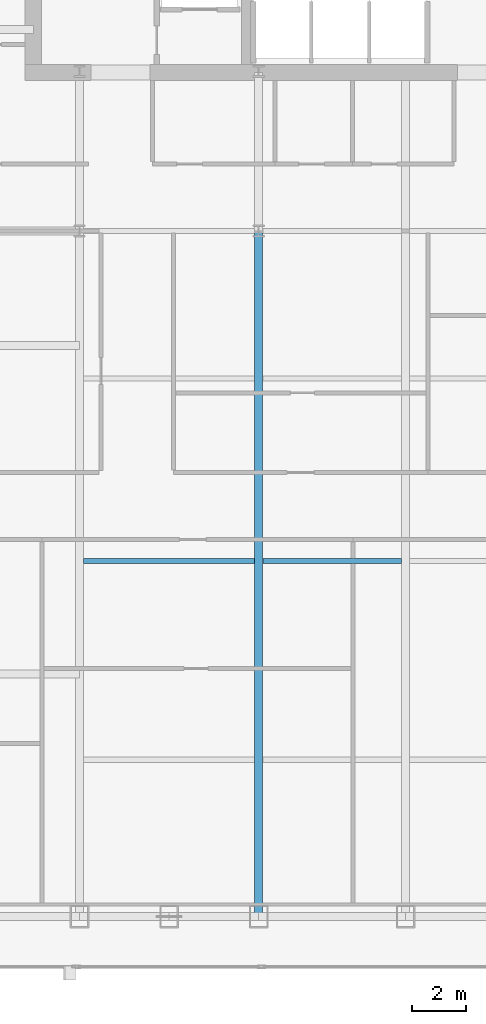
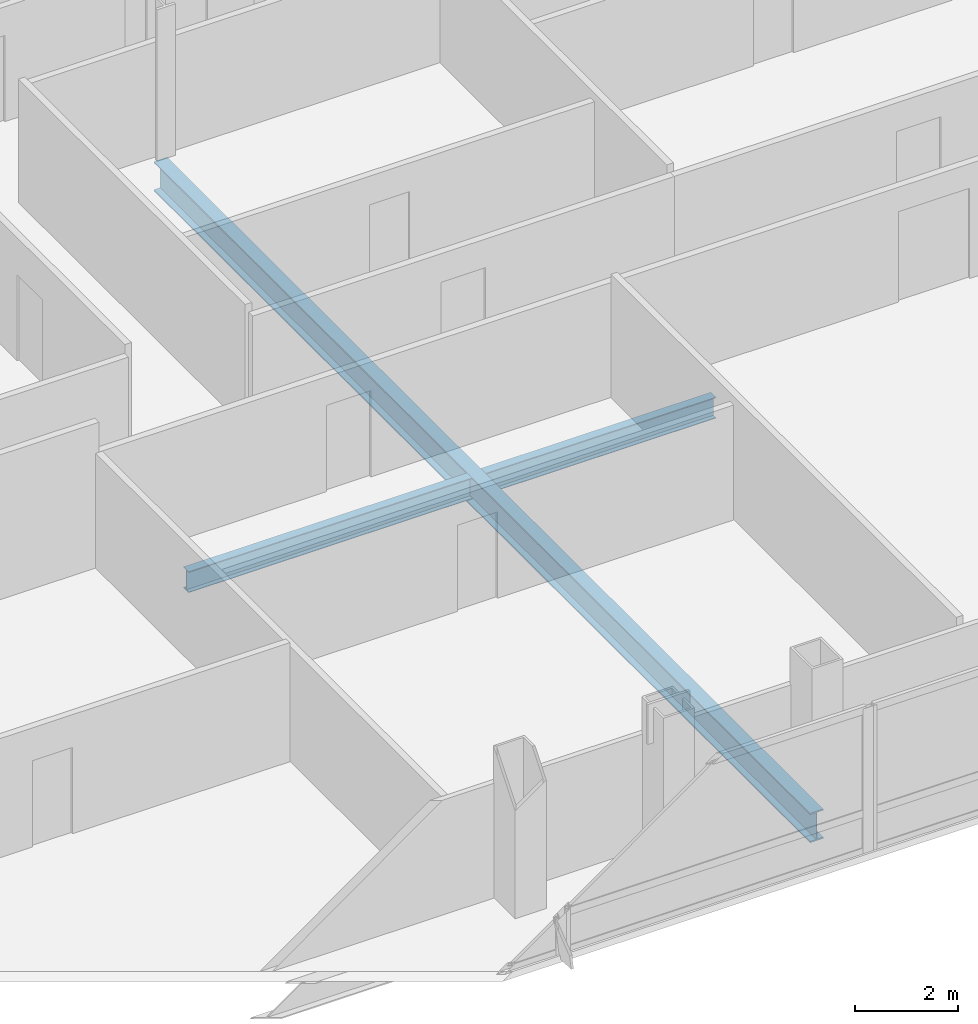
# One storey, part 9 of 29: 3 beams.
"""IFC4 building model written with IfcOpenShell, lengths in metres."""

from ifc_helpers import new_model, si_unit, direction, frame, origin, origin_2d, place, context, subcontext, project, spatial, i_section, extrude, material, material_profile, profile_set, type_object, element, save


model = new_model("IFC4")

# Units and contexts
model_context = context("Model", 3, precision=1e-05, world=origin(), true_north=direction((0.0, 1.0)))
body_context = subcontext(model_context, "Body", "Model", "MODEL_VIEW")
ifc_project = project(units=[si_unit("LENGTHUNIT", "METRE"), si_unit("AREAUNIT", "SQUARE_METRE"), si_unit("VOLUMEUNIT", "CUBIC_METRE"), si_unit("PLANEANGLEUNIT", "RADIAN"), si_unit("MASSUNIT", "GRAM", prefix="KILO")], contexts=[model_context])

# Site, building, storey
site_placement = place(None, origin())
site = spatial("IfcSite", under=ifc_project, at=site_placement, CompositionType="ELEMENT")
building_placement = place(site_placement, origin())
building = spatial("IfcBuilding", under=site, at=building_placement, Name="Khoronbel Lancet Exchange", CompositionType="ELEMENT")
storey_placement = place(building_placement, frame((0.0, 0.0, 177.0)))
storey = spatial("IfcBuildingStorey", under=building, at=storey_placement, Name="L44", CompositionType="ELEMENT", Elevation=177.0)

# Beams
ifc_material = material(Name="Steel S355", Category="steel")
ifc_material_profile_1 = material_profile(ifc_material, i_section(OverallWidth=0.300048828125, OverallDepth=0.699951171875, WebThickness=0.01708984375, FlangeThickness=0.031982421875, at=origin_2d()), Name="HEB 700")
ifc_profile_set_1 = profile_set([ifc_material_profile_1], Name="Steel S355")
beam_type_1 = type_object("IfcBeamType", Name="BM-BG3", PredefinedType="BEAM", material=ifc_profile_set_1)
beam_1_placement = place(storey_placement, frame((24.89990234375, 10.14990234375, -0.510009765625), z_axis=(0.0, 1.0, 0.0), x_axis=(-1.0, 0.0, 0.0)))
element("IfcBeam", 1, at=beam_1_placement, inside=storey, type_object=beam_type_1, Name="Level L44 south primary girder GS2", PredefinedType="BEAM", context=body_context, shape_type="SweptSolid", body=[
    extrude(i_section(OverallWidth=0.300048828125, OverallDepth=0.699951171875, WebThickness=0.01708984375, FlangeThickness=0.031982421875, at=origin_2d()), origin(), (0.0, 0.0, 1.0), 25.550048828125),
])
ifc_material_profile_2 = material_profile(ifc_material, i_section(OverallWidth=0.199951171875, OverallDepth=0.5, WebThickness=0.01025390625, FlangeThickness=0.01611328125, at=origin_2d()), Name="IPE 500")
ifc_profile_set_2 = profile_set([ifc_material_profile_2], Name="Steel S355")
beam_type_2 = type_object("IfcBeamType", Name="BM-BJ3", PredefinedType="JOIST", material=ifc_profile_set_2)
beam_2_placement = place(storey_placement, frame((18.375, 23.39990234375, -0.409912109375), z_axis=(1.0, 0.0, 0.0), x_axis=(0.0, 1.0, 0.0)))
element("IfcBeam", 2, at=beam_2_placement, inside=storey, type_object=beam_type_2, Name="Level L44 secondary composite joist J06", PredefinedType="JOIST", context=body_context, shape_type="SweptSolid", body=[
    extrude(i_section(OverallWidth=0.199951171875, OverallDepth=0.5, WebThickness=0.01025390625, FlangeThickness=0.01611328125, at=origin_2d()), origin(), (0.0, 0.0, 1.0), 6.375),
])
beam_3_placement = place(storey_placement, frame((25.050048828125, 23.39990234375, -0.409912109375), z_axis=(1.0, 0.0, 0.0), x_axis=(0.0, 1.0, 0.0)))
element("IfcBeam", 3, at=beam_3_placement, inside=storey, type_object=beam_type_2, Name="Level L44 secondary composite joist J07", PredefinedType="JOIST", context=body_context, shape_type="SweptSolid", body=[
    extrude(i_section(OverallWidth=0.199951171875, OverallDepth=0.5, WebThickness=0.01025390625, FlangeThickness=0.01611328125, at=origin_2d()), origin(), (0.0, 0.0, 1.0), 5.175048828125),
])

save(model, "model.ifc")
